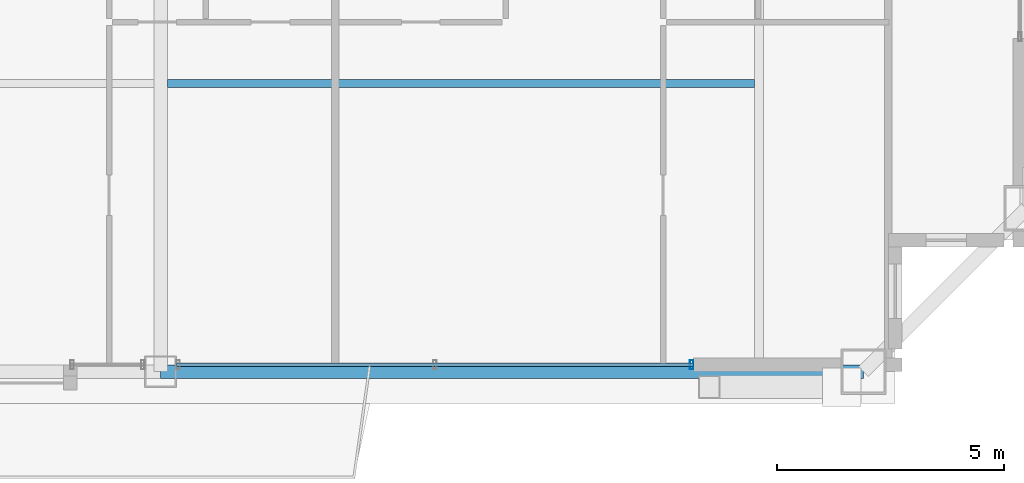
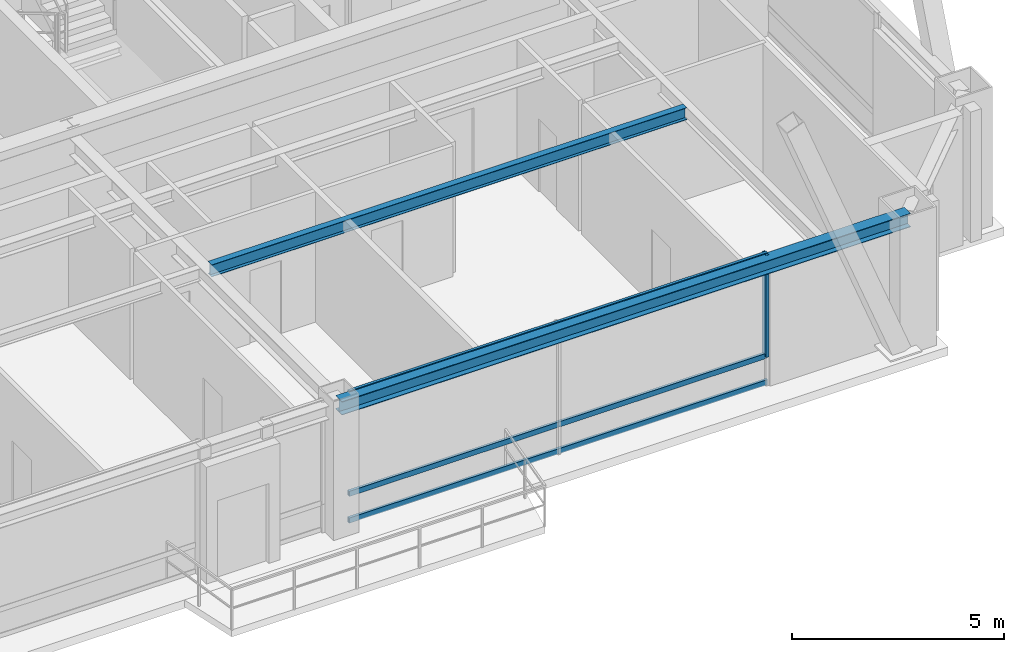
# One storey, part 9 of 35: 4 members, 2 beams, 1 element without a shape of its own.
"""IFC4 building model written with IfcOpenShell, lengths in metres."""

import ifcopenshell
import ifcopenshell.guid

model = None  # the IFC model being written
_history = None  # IfcOwnerHistory: only IFC2X3 demands one
_inside = {}  # id of a spatial element -> (the spatial element, [elements in it])
_under = {}  # id of a project, library or spatial element -> (it, [spatial elements below it])
_declared = {}  # id of a project -> (the project, [libraries it declares])
_typed = {}  # id of a type object -> (the type object, [elements of that type])
_made_of = {}  # id of a material, layer set ... -> (it, [elements and type objects made of it])


def new_model(schema):
    """Start an empty IFC model of exactly this schema.

    Asked for "IFC4X3", IfcOpenShell would pick the latest addendum, in which some entities
    have other attributes; the version numbers below select the first issue.
    IFC2X3 requires an IfcOwnerHistory on every rooted entity: one is made here for all.
    """
    global model, _history
    if schema == "IFC4X3":
        model = ifcopenshell.file(schema_version=(4, 3, 0, 0))
    else:
        model = ifcopenshell.file(schema=schema)
    _inside.clear()
    _under.clear()
    _declared.clear()
    _typed.clear()
    _made_of.clear()
    _history = None
    if model.schema == "IFC2X3":
        org = make("IfcOrganization", Name="unknown")
        user = make(
            "IfcPersonAndOrganization",
            ThePerson=make("IfcPerson", FamilyName="unknown"),
            TheOrganization=org,
        )
        app = make(
            "IfcApplication",
            ApplicationDeveloper=org,
            Version="unknown",
            ApplicationFullName="unknown",
            ApplicationIdentifier="unknown",
        )
        _history = make(
            "IfcOwnerHistory",
            OwningUser=user,
            OwningApplication=app,
            ChangeAction="ADDED",
            CreationDate=0,
        )
    return model


def make(cls, **values):
    """One entity of the class cls with the attributes given. An attribute that is None is left unset."""
    return model.create_entity(
        cls, **{name: value for name, value in values.items() if value is not None}
    )


def rooted(cls, **values):
    """An entity with a GlobalId (a new one), such as an element, a storey or a relation."""
    return make(cls, GlobalId=ifcopenshell.guid.new(), OwnerHistory=_history, **values)


def si_unit(unit_type, name, prefix=None):
    """IfcSIUnit, for example si_unit("LENGTHUNIT", "METRE", prefix="MILLI")."""
    return make("IfcSIUnit", UnitType=unit_type, Prefix=prefix, Name=name)


def assignment(units):
    """IfcUnitAssignment: the units of a project."""
    return None if units is None else make("IfcUnitAssignment", Units=units)


def point(xyz):
    """IfcCartesianPoint."""
    return None if xyz is None else make("IfcCartesianPoint", Coordinates=xyz)


def direction(xyz):
    """IfcDirection."""
    return None if xyz is None else make("IfcDirection", DirectionRatios=xyz)


def frame(location, z_axis=None, x_axis=None):
    """IfcAxis2Placement3D, a coordinate frame: its origin and axes. An axis left out is left unset."""
    return make(
        "IfcAxis2Placement3D",
        Location=point(location),
        Axis=direction(z_axis),
        RefDirection=direction(x_axis),
    )


def frame_2d(location, x_axis=None):
    """IfcAxis2Placement2D, a coordinate frame in the plane: its origin and x axis."""
    return make(
        "IfcAxis2Placement2D", Location=point(location), RefDirection=direction(x_axis)
    )


def origin():
    """The frame at (0, 0, 0) with its axes left unset."""
    return frame((0.0, 0.0, 0.0))


def origin_2d():
    """The frame at (0, 0) in the plane with its x axis left unset."""
    return frame_2d((0.0, 0.0))


def place(relative_to, where):
    """IfcLocalPlacement: puts the frame where relative to a parent placement (None: the world)."""
    return make(
        "IfcLocalPlacement", PlacementRelTo=relative_to, RelativePlacement=where
    )


def context(
    kind, dimensions, precision=None, world=None, true_north=None, identifier=None
):
    """IfcGeometricRepresentationContext, for example the 3D "Model" context."""
    return make(
        "IfcGeometricRepresentationContext",
        ContextIdentifier=identifier,
        ContextType=kind,
        CoordinateSpaceDimension=dimensions,
        Precision=precision,
        WorldCoordinateSystem=world,
        TrueNorth=true_north,
    )


def subcontext(parent, identifier, kind, view, scale=None):
    """IfcGeometricRepresentationSubContext, for example "Body" below "Model"."""
    return make(
        "IfcGeometricRepresentationSubContext",
        ContextIdentifier=identifier,
        ContextType=kind,
        ParentContext=parent,
        TargetScale=scale,
        TargetView=view,
    )


def project(units=None, contexts=None):
    """IfcProject with its units and contexts."""
    return rooted(
        "IfcProject",
        Name="project",
        RepresentationContexts=contexts,
        UnitsInContext=assignment(units),
    )


def spatial(cls, under=None, at=None, **own):
    """A site, building, storey or space (cls), placed at a placement, below another one or the project."""
    s = rooted(cls, ObjectPlacement=at, **own)
    if under is not None:
        _under.setdefault(under.id(), (under, []))[1].append(s)
    return s


def profile(cls, at=None, kind="AREA", **sizes):
    """A parametric profile (cls). Its sizes go by their IFC names, for example OverallWidth=200.0."""
    return make(cls, ProfileType=kind, Position=at, **sizes)


def hollow_rectangle(**sizes):
    """IfcRectangleHollowProfileDef."""
    return profile("IfcRectangleHollowProfileDef", **sizes)


def i_section(**sizes):
    """IfcIShapeProfileDef."""
    return profile("IfcIShapeProfileDef", **sizes)


def extrude(swept, where, along, depth):
    """IfcExtrudedAreaSolid: the profile swept, set in the frame where, extruded along a direction by depth."""
    return make(
        "IfcExtrudedAreaSolid",
        SweptArea=swept,
        Position=where,
        ExtrudedDirection=direction(along),
        Depth=depth,
    )


def shape(context_of_items, identifier, shape_type, items):
    """IfcShapeRepresentation: the items that make up one representation, for example the "Body"."""
    return make(
        "IfcShapeRepresentation",
        ContextOfItems=context_of_items,
        RepresentationIdentifier=identifier,
        RepresentationType=shape_type,
        Items=items,
    )


def source(mapping_origin, context_of_items, identifier, shape_type, items):
    """IfcRepresentationMap: a shape defined once, which mapped items show again and again."""
    return make(
        "IfcRepresentationMap",
        MappingOrigin=mapping_origin,
        MappedRepresentation=shape(context_of_items, identifier, shape_type, items),
    )


def transform(
    local_origin,
    x_axis=None,
    y_axis=None,
    z_axis=None,
    scale=None,
    scale2=None,
    scale3=None,
    uniform=True,
):
    """IfcCartesianTransformationOperator3D, or its non-uniform kind. x_axis, y_axis, z_axis: its Axis1, 2, 3."""
    if uniform:
        return make(
            "IfcCartesianTransformationOperator3D",
            Axis1=direction(x_axis),
            Axis2=direction(y_axis),
            LocalOrigin=point(local_origin),
            Scale=scale,
            Axis3=direction(z_axis),
        )
    return make(
        "IfcCartesianTransformationOperator3DnonUniform",
        Axis1=direction(x_axis),
        Axis2=direction(y_axis),
        LocalOrigin=point(local_origin),
        Scale=scale,
        Axis3=direction(z_axis),
        Scale2=scale2,
        Scale3=scale3,
    )


def mapped(mapping_source, mapping_target):
    """IfcMappedItem: shows the shape of a source again, moved by a transform."""
    return make(
        "IfcMappedItem", MappingSource=mapping_source, MappingTarget=mapping_target
    )


def material(Name=None, Category=None):
    """IfcMaterial."""
    return make("IfcMaterial", Name=Name, Category=Category)


def layer(
    of_material, thickness, ventilated=None, Name=None, Category=None, Priority=None
):
    """IfcMaterialLayer: one layer of a wall or slab, of a material (None: an air gap)."""
    return make(
        "IfcMaterialLayer",
        Material=of_material,
        LayerThickness=thickness,
        IsVentilated=ventilated,
        Name=Name,
        Category=Category,
        Priority=Priority,
    )


def layer_set(layers, Name=None):
    """IfcMaterialLayerSet."""
    return make("IfcMaterialLayerSet", MaterialLayers=layers, LayerSetName=Name)


def material_profile(
    of_material, cross_section, Name=None, Category=None, Priority=None
):
    """IfcMaterialProfile: a cross section and its material."""
    return make(
        "IfcMaterialProfile",
        Name=Name,
        Material=of_material,
        Profile=cross_section,
        Priority=Priority,
        Category=Category,
    )


def profile_set(profiles, Name=None, composite=None):
    """IfcMaterialProfileSet."""
    return make(
        "IfcMaterialProfileSet",
        Name=Name,
        MaterialProfiles=profiles,
        CompositeProfile=composite,
    )


def made_of(thing, what):
    """Note that an element or type object is made of a material, layer set ...; save() writes the relation."""
    if what is not None:
        _made_of.setdefault(what.id(), (what, []))[1].append(thing)
    return thing


def type_object(cls, material=None, **own):
    """A type object (cls), such as IfcWallType, which elements share."""
    return made_of(rooted(cls, **own), material)


def element(
    cls,
    number,
    at=None,
    inside=None,
    cuts=None,
    type_object=None,
    material=None,
    context=None,
    identifier="Body",
    shape_type=None,
    held_by="IfcProductDefinitionShape",
    body=None,
    shapes=None,
    **own,
):
    """One element of the class cls, such as IfcWall. Its Tag is "e" and its number.

    at: its placement. inside: the storey or other place that contains it. cuts: it is an
    opening in that element (IfcRelVoidsElement). A single representation is given by context,
    identifier, shape_type and body (its items); several are given by shapes. held_by: the class
    of the entity that holds the representations. save() writes the other relations.
    """
    e = rooted(cls, Tag="e%d" % number, ObjectPlacement=at, **own)
    if body is not None:
        shapes = [shape(context, identifier, shape_type, body)]
    if shapes is not None:
        e.Representation = make(held_by, Representations=shapes)
    if inside is not None:
        _inside.setdefault(inside.id(), (inside, []))[1].append(e)
    if cuts is not None:
        rooted(
            "IfcRelVoidsElement", RelatingBuildingElement=cuts, RelatedOpeningElement=e
        )
    if type_object is not None:
        _typed.setdefault(type_object.id(), (type_object, []))[1].append(e)
    return made_of(e, material)


def aggregate(whole, parts):
    """IfcRelAggregates: a whole, such as a stair, and the parts it consists of."""
    return rooted("IfcRelAggregates", RelatingObject=whole, RelatedObjects=parts)


def save(model, path):
    """Write the relations noted so far, then the file.

    IfcRelAggregates (storeys below a building ...), IfcRelContainedInSpatialStructure (elements
    in a storey), IfcRelDefinesByType, IfcRelAssociatesMaterial and IfcRelDeclares: one each for
    every whole, place, type object, material and project.
    """
    for whole, parts in _under.values():
        aggregate(whole, parts)
    for where, things in _inside.values():
        rooted(
            "IfcRelContainedInSpatialStructure",
            RelatedElements=things,
            RelatingStructure=where,
        )
    for kind, things in _typed.values():
        rooted("IfcRelDefinesByType", RelatedObjects=things, RelatingType=kind)
    for what, things in _made_of.values():
        rooted("IfcRelAssociatesMaterial", RelatedObjects=things, RelatingMaterial=what)
    for by, libraries in _declared.values():
        rooted("IfcRelDeclares", RelatingContext=by, RelatedDefinitions=libraries)
    model.write(path)


model = new_model("IFC4")

# Units and contexts
model_context = context("Model", 3, precision=1e-05, world=origin(), true_north=direction((0.0, 1.0)))
body_context = subcontext(model_context, "Body", "Model", "MODEL_VIEW")
ifc_project = project(units=[si_unit("LENGTHUNIT", "METRE"), si_unit("AREAUNIT", "SQUARE_METRE"), si_unit("VOLUMEUNIT", "CUBIC_METRE"), si_unit("PLANEANGLEUNIT", "RADIAN"), si_unit("MASSUNIT", "GRAM", prefix="KILO"), si_unit("THERMODYNAMICTEMPERATUREUNIT", "KELVIN"), si_unit("POWERUNIT", "WATT")], contexts=[model_context])

# Site, building, storey
site_placement = place(None, origin())
site = spatial("IfcSite", under=ifc_project, at=site_placement, CompositionType="ELEMENT")
building_placement = place(site_placement, origin())
building = spatial("IfcBuilding", under=site, at=building_placement, Name="Yuzanri Waterfront Tower", CompositionType="ELEMENT")
storey_placement = place(building_placement, frame((0.0, 0.0, 343.199951171875)))
storey = spatial("IfcBuildingStorey", under=building, at=storey_placement, Name="L92", CompositionType="ELEMENT", Elevation=343.199951171875)

# Beams
ifc_material_1 = material(Name="Steel Q355B", Category="steel")
ifc_material_profile_1 = material_profile(ifc_material_1, i_section(OverallWidth=0.175048828125, OverallDepth=0.35009765625, WebThickness=0.007080078125, FlangeThickness=0.010986328125, at=origin_2d()), Name="HN 350x175x7x11")
ifc_profile_set_1 = profile_set([ifc_material_profile_1], Name="Steel Q355B")
beam_type_1 = type_object("IfcBeamType", Name="Floor Joist Q355B HN 350x175", PredefinedType="JOIST", material=ifc_profile_set_1)
shared_shape_1 = source(origin(), body_context, "Body", "SweptSolid", [
    extrude(i_section(OverallWidth=0.175048828125, OverallDepth=0.35009765625, WebThickness=0.007080078125, FlangeThickness=0.010986328125, at=origin_2d()), origin(), (0.0, 0.0, 1.0), 12.9501953125),
])
beam_1_placement = place(storey_placement, frame((37.14990234375, 13.050048828125, 3.5849609375), z_axis=(1.0, 0.0, 0.0), x_axis=(0.0, 1.0, 0.0)))
element("IfcBeam", 1, at=beam_1_placement, inside=storey, type_object=beam_type_1, Name="L92 South Bay Joist E", PredefinedType="JOIST", context=body_context, shape_type="MappedRepresentation", body=[
    mapped(shared_shape_1, transform((0.0, 0.0, 0.0), scale=1.0)),
])
ifc_material_2 = material(Name="Steel Q355B", Category="steel")
ifc_material_profile_2 = material_profile(ifc_material_2, i_section(OverallWidth=0.300048828125, OverallDepth=0.389892578125, WebThickness=0.010009765625, FlangeThickness=0.01611328125, at=origin_2d()), Name="HM 390x300x10x16")
ifc_profile_set_2 = profile_set([ifc_material_profile_2], Name="Steel Q355B")
beam_type_2 = type_object("IfcBeamType", Name="Perimeter Spandrel Q355B HM 390x300", PredefinedType="SPANDREL", material=ifc_profile_set_2)
shared_shape_2 = source(origin(), body_context, "Body", "SweptSolid", [
    extrude(i_section(OverallWidth=0.300048828125, OverallDepth=0.389892578125, WebThickness=0.010009765625, FlangeThickness=0.01611328125, at=origin_2d()), origin(), (0.0, 0.0, 1.0), 15.5),
])
beam_2_placement = place(storey_placement, frame((37.0, 6.699951171875, 3.56494140625), z_axis=(1.0, 0.0, 0.0), x_axis=(0.0, 1.0, 0.0)))
element("IfcBeam", 2, at=beam_2_placement, inside=storey, type_object=beam_type_2, Name="L92 Perimeter Spandrel S2-S3", PredefinedType="SPANDREL", context=body_context, shape_type="MappedRepresentation", body=[
    mapped(shared_shape_2, transform((0.0, 0.0, 0.0), scale=1.0)),
])

# Curtain wall, members
ifc_material_3 = material(Name="Anodized Architectural Bronze", Category="metal")
ifc_layer = layer(ifc_material_3, 0.159912109375)
ifc_layer_set = layer_set([ifc_layer], Name="Anodized Architectural Bronze")
curtain_wall_type = type_object("IfcCurtainWallType", Name="Anodized Bronze High-Rise Penthouse High-Wind Unitized Curtain Wall 6900", PredefinedType="NOTDEFINED", material=ifc_layer_set)
curtain_wall_placement = place(storey_placement, origin())
curtain_wall = element("IfcCurtainWall", 3, at=curtain_wall_placement, inside=storey, type_object=curtain_wall_type, Name="L92 Curtain Wall CW-L92-SR", PredefinedType="NOTDEFINED")
ifc_material_4 = material(Name="Anodized Architectural Bronze", Category="metal")
ifc_material_profile_3 = material_profile(ifc_material_4, hollow_rectangle(XDim=0.074951171875, YDim=0.14990234375, WallThickness=0.00390625, at=origin_2d()), Name="CWT 75x150")
ifc_profile_set_3 = profile_set([ifc_material_profile_3], Name="Anodized Architectural Bronze")
member_type_1 = type_object("IfcMemberType", Name="Anodized Bronze Primary Curtain-Wall Transom 75x150", PredefinedType="USERDEFINED", material=ifc_profile_set_3)
shared_shape_3 = source(origin(), body_context, "Body", "SweptSolid", [
    extrude(hollow_rectangle(XDim=0.074951171875, YDim=0.14990234375, WallThickness=0.00390625, at=origin_2d()), origin(), (0.0, 0.0, 1.0), 11.39990234375),
])
member_1_placement = place(storey_placement, frame((37.35009765625, 6.85009765625, 0.050048828125), z_axis=(1.0, 0.0, 0.0), x_axis=(0.0, 1.0, 0.0)))
member_1 = element("IfcMember", 4, at=member_1_placement, type_object=member_type_1, Name="CW-L92-SR Transom 1", ObjectType="TRANSOM", PredefinedType="USERDEFINED", context=body_context, shape_type="MappedRepresentation", body=[
    mapped(shared_shape_3, transform((0.0, 0.0, 0.0), scale=1.0)),
])
member_2_placement = place(storey_placement, frame((37.35009765625, 6.85009765625, 0.820068359375), z_axis=(1.0, 0.0, 0.0), x_axis=(0.0, 1.0, 0.0)))
member_2 = element("IfcMember", 5, at=member_2_placement, type_object=member_type_1, Name="CW-L92-SR Transom 2", ObjectType="TRANSOM", PredefinedType="USERDEFINED", context=body_context, shape_type="MappedRepresentation", body=[
    mapped(shared_shape_3, transform((0.0, 0.0, 0.0), scale=1.0)),
])
member_3_placement = place(storey_placement, frame((37.35009765625, 6.85009765625, 3.7099609375), z_axis=(1.0, 0.0, 0.0), x_axis=(0.0, 1.0, 0.0)))
member_3 = element("IfcMember", 6, at=member_3_placement, type_object=member_type_1, Name="CW-L92-SR Transom 3", ObjectType="TRANSOM", PredefinedType="USERDEFINED", context=body_context, shape_type="MappedRepresentation", body=[
    mapped(shared_shape_3, transform((0.0, 0.0, 0.0), scale=1.0)),
])
ifc_material_5 = material(Name="Anodized Architectural Bronze", Category="metal")
ifc_material_profile_4 = material_profile(ifc_material_5, hollow_rectangle(XDim=0.074951171875, YDim=0.199951171875, WallThickness=0.00390625, at=origin_2d()), Name="CWM 75x200")
ifc_profile_set_4 = profile_set([ifc_material_profile_4], Name="Anodized Architectural Bronze")
member_type_2 = type_object("IfcMemberType", Name="Anodized Bronze Primary Curtain-Wall Mullion 75x200", PredefinedType="MULLION", material=ifc_profile_set_4)
shared_shape_4 = source(origin(), body_context, "Body", "SweptSolid", [
    extrude(hollow_rectangle(XDim=0.074951171875, YDim=0.199951171875, WallThickness=0.00390625, at=origin_2d()), origin(), (0.0, 0.0, 1.0), 2.93798828125),
])
member_4_placement = place(storey_placement, frame((48.7099609375, 6.85009765625, 0.822021484375), z_axis=(0.0, 0.0, 1.0), x_axis=(1.0, 0.0, 0.0)))
member_4 = element("IfcMember", 7, at=member_4_placement, type_object=member_type_2, Name="CW-L92-SR Upper Mullion 02", PredefinedType="MULLION", context=body_context, shape_type="MappedRepresentation", body=[
    mapped(shared_shape_4, transform((0.0, 0.0, 0.0), scale=1.0)),
])
aggregate(curtain_wall, [member_4, member_1, member_2, member_3])

save(model, "model.ifc")
